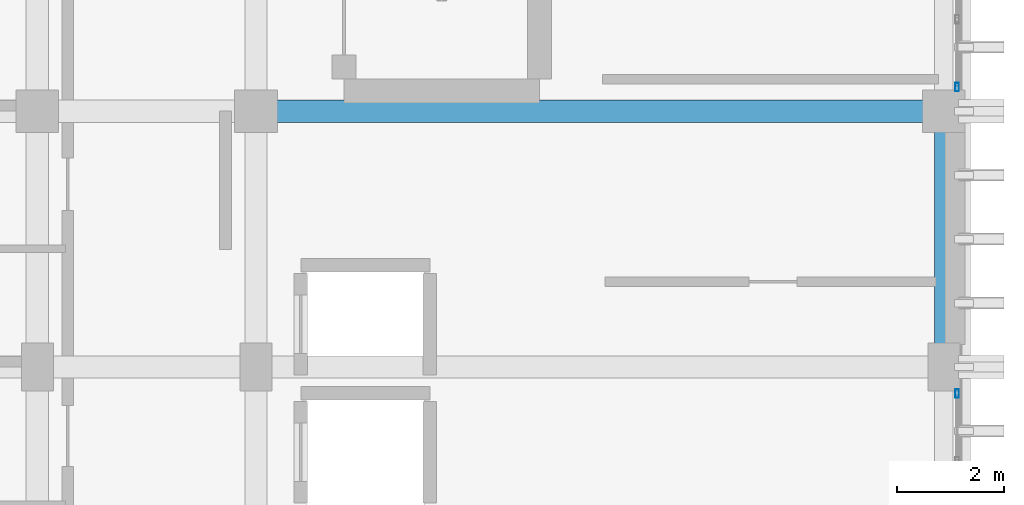
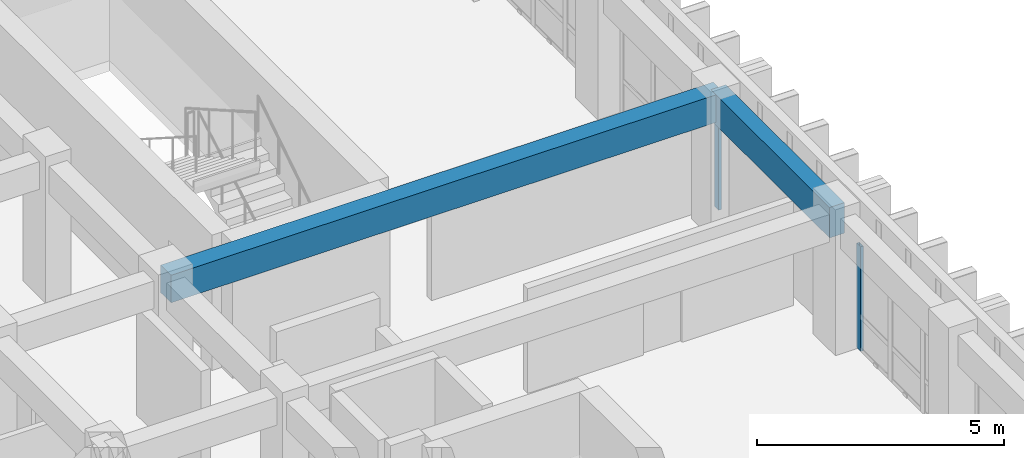
# One storey, part 17 of 82: 2 beams, 2 members, 2 elements without a shape of their own.
"""IFC4 building model written with IfcOpenShell, lengths in metres."""

import ifcopenshell
import ifcopenshell.guid

model = None  # the IFC model being written
_history = None  # IfcOwnerHistory: only IFC2X3 demands one
_inside = {}  # id of a spatial element -> (the spatial element, [elements in it])
_under = {}  # id of a project, library or spatial element -> (it, [spatial elements below it])
_declared = {}  # id of a project -> (the project, [libraries it declares])
_typed = {}  # id of a type object -> (the type object, [elements of that type])
_made_of = {}  # id of a material, layer set ... -> (it, [elements and type objects made of it])


def new_model(schema):
    """Start an empty IFC model of exactly this schema.

    Asked for "IFC4X3", IfcOpenShell would pick the latest addendum, in which some entities
    have other attributes; the version numbers below select the first issue.
    IFC2X3 requires an IfcOwnerHistory on every rooted entity: one is made here for all.
    """
    global model, _history
    if schema == "IFC4X3":
        model = ifcopenshell.file(schema_version=(4, 3, 0, 0))
    else:
        model = ifcopenshell.file(schema=schema)
    _inside.clear()
    _under.clear()
    _declared.clear()
    _typed.clear()
    _made_of.clear()
    _history = None
    if model.schema == "IFC2X3":
        org = make("IfcOrganization", Name="unknown")
        user = make(
            "IfcPersonAndOrganization",
            ThePerson=make("IfcPerson", FamilyName="unknown"),
            TheOrganization=org,
        )
        app = make(
            "IfcApplication",
            ApplicationDeveloper=org,
            Version="unknown",
            ApplicationFullName="unknown",
            ApplicationIdentifier="unknown",
        )
        _history = make(
            "IfcOwnerHistory",
            OwningUser=user,
            OwningApplication=app,
            ChangeAction="ADDED",
            CreationDate=0,
        )
    return model


def make(cls, **values):
    """One entity of the class cls with the attributes given. An attribute that is None is left unset."""
    return model.create_entity(
        cls, **{name: value for name, value in values.items() if value is not None}
    )


def rooted(cls, **values):
    """An entity with a GlobalId (a new one), such as an element, a storey or a relation."""
    return make(cls, GlobalId=ifcopenshell.guid.new(), OwnerHistory=_history, **values)


def si_unit(unit_type, name, prefix=None):
    """IfcSIUnit, for example si_unit("LENGTHUNIT", "METRE", prefix="MILLI")."""
    return make("IfcSIUnit", UnitType=unit_type, Prefix=prefix, Name=name)


def assignment(units):
    """IfcUnitAssignment: the units of a project."""
    return None if units is None else make("IfcUnitAssignment", Units=units)


def point(xyz):
    """IfcCartesianPoint."""
    return None if xyz is None else make("IfcCartesianPoint", Coordinates=xyz)


def direction(xyz):
    """IfcDirection."""
    return None if xyz is None else make("IfcDirection", DirectionRatios=xyz)


def frame(location, z_axis=None, x_axis=None):
    """IfcAxis2Placement3D, a coordinate frame: its origin and axes. An axis left out is left unset."""
    return make(
        "IfcAxis2Placement3D",
        Location=point(location),
        Axis=direction(z_axis),
        RefDirection=direction(x_axis),
    )


def frame_2d(location, x_axis=None):
    """IfcAxis2Placement2D, a coordinate frame in the plane: its origin and x axis."""
    return make(
        "IfcAxis2Placement2D", Location=point(location), RefDirection=direction(x_axis)
    )


def origin():
    """The frame at (0, 0, 0) with its axes left unset."""
    return frame((0.0, 0.0, 0.0))


def origin_2d():
    """The frame at (0, 0) in the plane with its x axis left unset."""
    return frame_2d((0.0, 0.0))


def place(relative_to, where):
    """IfcLocalPlacement: puts the frame where relative to a parent placement (None: the world)."""
    return make(
        "IfcLocalPlacement", PlacementRelTo=relative_to, RelativePlacement=where
    )


def context(
    kind, dimensions, precision=None, world=None, true_north=None, identifier=None
):
    """IfcGeometricRepresentationContext, for example the 3D "Model" context."""
    return make(
        "IfcGeometricRepresentationContext",
        ContextIdentifier=identifier,
        ContextType=kind,
        CoordinateSpaceDimension=dimensions,
        Precision=precision,
        WorldCoordinateSystem=world,
        TrueNorth=true_north,
    )


def subcontext(parent, identifier, kind, view, scale=None):
    """IfcGeometricRepresentationSubContext, for example "Body" below "Model"."""
    return make(
        "IfcGeometricRepresentationSubContext",
        ContextIdentifier=identifier,
        ContextType=kind,
        ParentContext=parent,
        TargetScale=scale,
        TargetView=view,
    )


def project(units=None, contexts=None):
    """IfcProject with its units and contexts."""
    return rooted(
        "IfcProject",
        Name="project",
        RepresentationContexts=contexts,
        UnitsInContext=assignment(units),
    )


def spatial(cls, under=None, at=None, **own):
    """A site, building, storey or space (cls), placed at a placement, below another one or the project."""
    s = rooted(cls, ObjectPlacement=at, **own)
    if under is not None:
        _under.setdefault(under.id(), (under, []))[1].append(s)
    return s


def profile(cls, at=None, kind="AREA", **sizes):
    """A parametric profile (cls). Its sizes go by their IFC names, for example OverallWidth=200.0."""
    return make(cls, ProfileType=kind, Position=at, **sizes)


def rectangle(**sizes):
    """IfcRectangleProfileDef."""
    return profile("IfcRectangleProfileDef", **sizes)


def hollow_rectangle(**sizes):
    """IfcRectangleHollowProfileDef."""
    return profile("IfcRectangleHollowProfileDef", **sizes)


def extrude(swept, where, along, depth):
    """IfcExtrudedAreaSolid: the profile swept, set in the frame where, extruded along a direction by depth."""
    return make(
        "IfcExtrudedAreaSolid",
        SweptArea=swept,
        Position=where,
        ExtrudedDirection=direction(along),
        Depth=depth,
    )


def shape(context_of_items, identifier, shape_type, items):
    """IfcShapeRepresentation: the items that make up one representation, for example the "Body"."""
    return make(
        "IfcShapeRepresentation",
        ContextOfItems=context_of_items,
        RepresentationIdentifier=identifier,
        RepresentationType=shape_type,
        Items=items,
    )


def material(Name=None, Category=None):
    """IfcMaterial."""
    return make("IfcMaterial", Name=Name, Category=Category)


def layer(
    of_material, thickness, ventilated=None, Name=None, Category=None, Priority=None
):
    """IfcMaterialLayer: one layer of a wall or slab, of a material (None: an air gap)."""
    return make(
        "IfcMaterialLayer",
        Material=of_material,
        LayerThickness=thickness,
        IsVentilated=ventilated,
        Name=Name,
        Category=Category,
        Priority=Priority,
    )


def layer_set(layers, Name=None):
    """IfcMaterialLayerSet."""
    return make("IfcMaterialLayerSet", MaterialLayers=layers, LayerSetName=Name)


def material_profile(
    of_material, cross_section, Name=None, Category=None, Priority=None
):
    """IfcMaterialProfile: a cross section and its material."""
    return make(
        "IfcMaterialProfile",
        Name=Name,
        Material=of_material,
        Profile=cross_section,
        Priority=Priority,
        Category=Category,
    )


def profile_set(profiles, Name=None, composite=None):
    """IfcMaterialProfileSet."""
    return make(
        "IfcMaterialProfileSet",
        Name=Name,
        MaterialProfiles=profiles,
        CompositeProfile=composite,
    )


def made_of(thing, what):
    """Note that an element or type object is made of a material, layer set ...; save() writes the relation."""
    if what is not None:
        _made_of.setdefault(what.id(), (what, []))[1].append(thing)
    return thing


def type_object(cls, material=None, **own):
    """A type object (cls), such as IfcWallType, which elements share."""
    return made_of(rooted(cls, **own), material)


def element(
    cls,
    number,
    at=None,
    inside=None,
    cuts=None,
    type_object=None,
    material=None,
    context=None,
    identifier="Body",
    shape_type=None,
    held_by="IfcProductDefinitionShape",
    body=None,
    shapes=None,
    **own,
):
    """One element of the class cls, such as IfcWall. Its Tag is "e" and its number.

    at: its placement. inside: the storey or other place that contains it. cuts: it is an
    opening in that element (IfcRelVoidsElement). A single representation is given by context,
    identifier, shape_type and body (its items); several are given by shapes. held_by: the class
    of the entity that holds the representations. save() writes the other relations.
    """
    e = rooted(cls, Tag="e%d" % number, ObjectPlacement=at, **own)
    if body is not None:
        shapes = [shape(context, identifier, shape_type, body)]
    if shapes is not None:
        e.Representation = make(held_by, Representations=shapes)
    if inside is not None:
        _inside.setdefault(inside.id(), (inside, []))[1].append(e)
    if cuts is not None:
        rooted(
            "IfcRelVoidsElement", RelatingBuildingElement=cuts, RelatedOpeningElement=e
        )
    if type_object is not None:
        _typed.setdefault(type_object.id(), (type_object, []))[1].append(e)
    return made_of(e, material)


def aggregate(whole, parts):
    """IfcRelAggregates: a whole, such as a stair, and the parts it consists of."""
    return rooted("IfcRelAggregates", RelatingObject=whole, RelatedObjects=parts)


def save(model, path):
    """Write the relations noted so far, then the file.

    IfcRelAggregates (storeys below a building ...), IfcRelContainedInSpatialStructure (elements
    in a storey), IfcRelDefinesByType, IfcRelAssociatesMaterial and IfcRelDeclares: one each for
    every whole, place, type object, material and project.
    """
    for whole, parts in _under.values():
        aggregate(whole, parts)
    for where, things in _inside.values():
        rooted(
            "IfcRelContainedInSpatialStructure",
            RelatedElements=things,
            RelatingStructure=where,
        )
    for kind, things in _typed.values():
        rooted("IfcRelDefinesByType", RelatedObjects=things, RelatingType=kind)
    for what, things in _made_of.values():
        rooted("IfcRelAssociatesMaterial", RelatedObjects=things, RelatingMaterial=what)
    for by, libraries in _declared.values():
        rooted("IfcRelDeclares", RelatingContext=by, RelatedDefinitions=libraries)
    model.write(path)


model = new_model("IFC4")

# Units and contexts
model_context = context("Model", 3, precision=1e-05, world=origin(), true_north=direction((0.0, 1.0)))
body_context = subcontext(model_context, "Body", "Model", "MODEL_VIEW")
ifc_project = project(units=[si_unit("LENGTHUNIT", "METRE"), si_unit("AREAUNIT", "SQUARE_METRE"), si_unit("VOLUMEUNIT", "CUBIC_METRE"), si_unit("PLANEANGLEUNIT", "RADIAN"), si_unit("MASSUNIT", "GRAM", prefix="KILO")], contexts=[model_context])

# Site, building, storey
site_placement = place(None, origin())
site = spatial("IfcSite", under=ifc_project, at=site_placement, CompositionType="ELEMENT")
building_placement = place(site_placement, origin())
building = spatial("IfcBuilding", under=site, at=building_placement, Name="Nakhvara Creek Congress Hotel", CompositionType="ELEMENT")
storey_placement = place(building_placement, frame((0.0, 0.0, 21.0)))
storey = spatial("IfcBuildingStorey", under=building, at=storey_placement, Name="L04", CompositionType="ELEMENT", Elevation=21.0)

# Beams
ifc_material_1 = material(Name="Concrete C40/50", Category="concrete")
ifc_material_profile_1 = material_profile(ifc_material_1, rectangle(XDim=0.419921875, YDim=0.679931640625, at=origin_2d()), Name="RC-BM 420x680", Category="LoadBearing")
ifc_profile_set_1 = profile_set([ifc_material_profile_1], Name="Concrete C40/50")
beam_type_1 = type_object("IfcBeamType", Name="BM-RC-420X680", PredefinedType="BEAM", material=ifc_profile_set_1)
beam_1_placement = place(storey_placement, frame((166.449951171875, 48.0, 3.0), z_axis=(1.0, 0.0, 0.0), x_axis=(0.0, 1.0, 0.0)))
element("IfcBeam", 1, at=beam_1_placement, inside=storey, type_object=beam_type_1, Name="Beam B11-L04-1982", PredefinedType="BEAM", context=body_context, shape_type="SweptSolid", body=[
    extrude(rectangle(XDim=0.419921875, YDim=0.679931640625, at=origin_2d()), origin(), (0.0, 0.0, 1.0), 12.900146484375),
])
ifc_material_profile_2 = material_profile(ifc_material_1, rectangle(XDim=0.35009765625, YDim=0.75, at=origin_2d()), Name="RC-SPANDREL 350x750", Category="LoadBearing")
ifc_profile_set_2 = profile_set([ifc_material_profile_2], Name="Concrete C40/50")
beam_type_2 = type_object("IfcBeamType", Name="BM-SPN-350X750", PredefinedType="SPANDREL", material=ifc_profile_set_2)
beam_2_placement = place(storey_placement, frame((179.35009765625, 43.199951171875, 2.965087890625), z_axis=(0.0, 1.0, 0.0), x_axis=(-1.0, 0.0, 0.0)))
element("IfcBeam", 2, at=beam_2_placement, inside=storey, type_object=beam_type_2, Name="Beam SP1-L04-2012", PredefinedType="SPANDREL", context=body_context, shape_type="SweptSolid", body=[
    extrude(rectangle(XDim=0.35009765625, YDim=0.75, at=origin_2d()), origin(), (0.0, 0.0, 1.0), 4.800048828125),
])

# Curtain wall, member
ifc_material_2 = material(Name="Bronze-anodised aluminium AW-6063-T6 and double-silver low-E glass", Category="aluminium")
ifc_layer = layer(ifc_material_2, 0.199951171875)
ifc_layer_set = layer_set([ifc_layer], Name="Bronze-anodised aluminium AW-6063-T6 and double-silver low-E glass")
curtain_wall_type = type_object("IfcCurtainWallType", Name="CW-HTL-UNIT", PredefinedType="USERDEFINED", material=ifc_layer_set)
curtain_wall_1_placement = place(storey_placement, origin())
curtain_wall_1 = element("IfcCurtainWall", 3, at=curtain_wall_1_placement, inside=storey, type_object=curtain_wall_type, Name="Curtain Wall CW178", ObjectType="UNITISED", PredefinedType="USERDEFINED")
ifc_material_3 = material(Name="Bronze-anodised aluminium AW-6063-T6", Category="aluminium")
ifc_material_profile_3 = material_profile(ifc_material_3, hollow_rectangle(XDim=0.06494140625, YDim=0.159912109375, WallThickness=0.00390625, at=origin_2d()), Name="ALU-MULL 65x160x4", Category="LoadBearing")
ifc_profile_set_3 = profile_set([ifc_material_profile_3], Name="Bronze-anodised aluminium AW-6063-T6")
member_type = type_object("IfcMemberType", Name="CW-MULL-160", PredefinedType="MULLION", material=ifc_profile_set_3)
member_1_placement = place(storey_placement, frame((179.60009765625, 42.702392578125, 0.0), z_axis=(0.0, 0.0, 1.0), x_axis=(1.0, 0.0, 0.0)))
member_1 = element("IfcMember", 4, at=member_1_placement, type_object=member_type, Name="CW178 mullion 1", PredefinedType="MULLION", context=body_context, shape_type="SweptSolid", body=[
    extrude(hollow_rectangle(XDim=0.06494140625, YDim=0.159912109375, WallThickness=0.00390625, at=origin_2d()), origin(), (0.0, 0.0, 1.0), 2.58203125),
])
aggregate(curtain_wall_1, [member_1])

curtain_wall_2_placement = place(storey_placement, origin())
curtain_wall_2 = element("IfcCurtainWall", 5, at=curtain_wall_2_placement, inside=storey, type_object=curtain_wall_type, Name="Curtain Wall CW180", ObjectType="UNITISED", PredefinedType="USERDEFINED")
member_2_placement = place(storey_placement, frame((179.60009765625, 48.447509765625, 0.0), z_axis=(0.0, 0.0, 1.0), x_axis=(1.0, 0.0, 0.0)))
member_2 = element("IfcMember", 6, at=member_2_placement, type_object=member_type, Name="CW180 mullion 4", PredefinedType="MULLION", context=body_context, shape_type="SweptSolid", body=[
    extrude(hollow_rectangle(XDim=0.06494140625, YDim=0.159912109375, WallThickness=0.00390625, at=origin_2d()), origin(), (0.0, 0.0, 1.0), 2.58203125),
])
aggregate(curtain_wall_2, [member_2])

save(model, "model.ifc")
